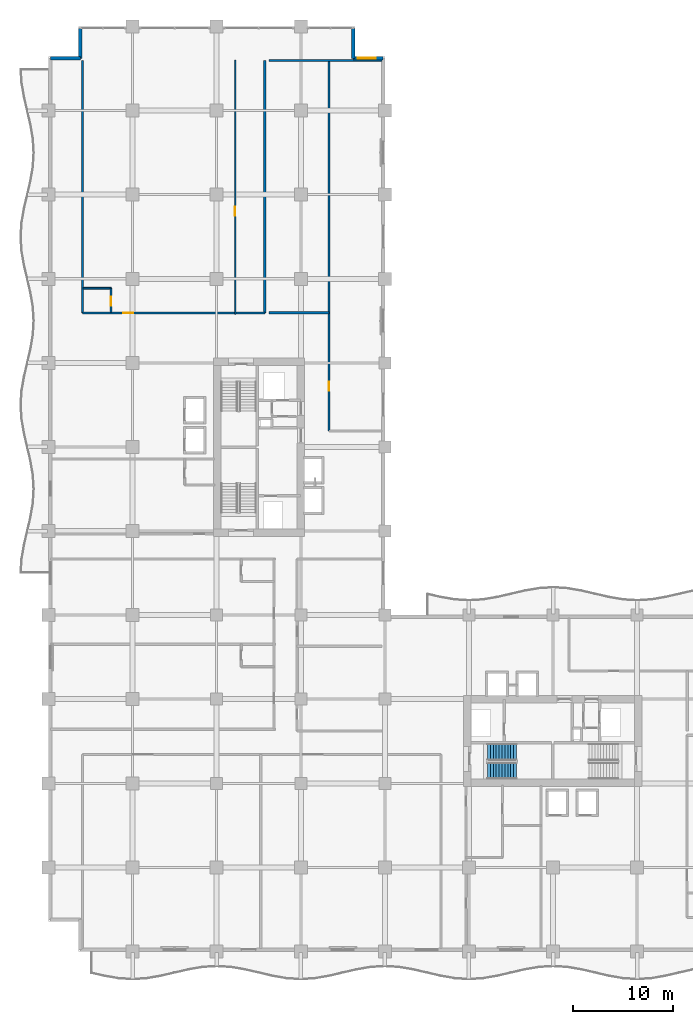
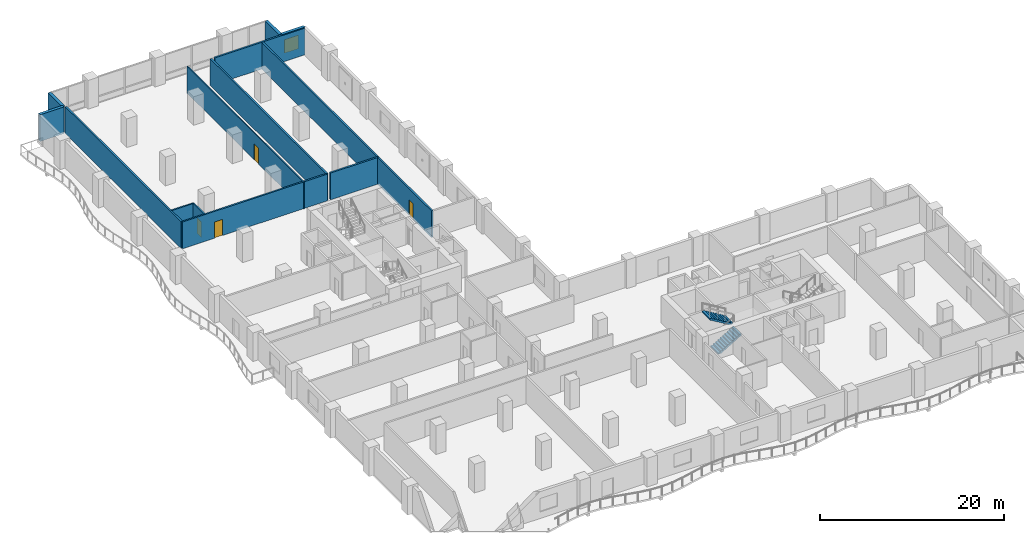
# One storey, part 14 of 22: 13 walls, 4 doors, 2 stair flights, 1 window, 5 openings, 1 element without a shape of its own.
"""IFC4 building model written with IfcOpenShell, lengths in metres."""

from ifc_helpers import new_model, si_unit, direction, frame, frame_2d, origin, place, context, subcontext, project, spatial, polyline, rectangle, outline, extrude, material, layer, layer_set, type_object, element, fill, aggregate, save


model = new_model("IFC4")

# Units and contexts
model_context = context("Model", 3, precision=1e-05, world=origin(), true_north=direction((0.0, 1.0)))
body_context = subcontext(model_context, "Body", "Model", "MODEL_VIEW")
ifc_project = project(units=[si_unit("LENGTHUNIT", "METRE"), si_unit("AREAUNIT", "SQUARE_METRE"), si_unit("VOLUMEUNIT", "CUBIC_METRE"), si_unit("PLANEANGLEUNIT", "RADIAN"), si_unit("MASSUNIT", "GRAM", prefix="KILO")], contexts=[model_context])

# Site, building, storey
site_placement = place(None, origin())
site = spatial("IfcSite", under=ifc_project, at=site_placement, CompositionType="ELEMENT")
building_placement = place(site_placement, origin())
building = spatial("IfcBuilding", under=site, at=building_placement, Name="Koriwani Terraces Tower", CompositionType="ELEMENT")
storey_placement = place(building_placement, frame((0.0, 0.0, 141.800048828125)))
storey = spatial("IfcBuildingStorey", under=building, at=storey_placement, Name="L34", CompositionType="ELEMENT", Elevation=141.800048828125)

# Wall, opening, door
ifc_material_1 = material(Name="Autoclaved Cellular Concrete Blockwork", Category="masonry")
ifc_layer_1 = layer(ifc_material_1, 0.199951171875, Name="Autoclaved Cellular Concrete Blockwork")
ifc_layer_set_1 = layer_set([ifc_layer_1], Name="Autoclaved Cellular Concrete Blockwork")
wall_type_1 = type_object("IfcWallType", Name="WALL_CORRIDOR_200", PredefinedType="PARTITIONING", material=ifc_layer_set_1)
wall_1_placement = place(storey_placement, frame((3.39990234375, 63.800048828125, 0.0), z_axis=(0.0, 0.0, 1.0), x_axis=(1.0, 0.0, 0.0)))
wall_1 = element("IfcWall", 1, at=wall_1_placement, inside=storey, type_object=wall_type_1, Name="L34 Interior Wall WGB-L34-NWTIP-S", PredefinedType="PARTITIONING", context=body_context, shape_type="SweptSolid", body=[
    extrude(rectangle(XDim=18.2001953125, YDim=0.199951171875, at=frame_2d((9.10009765625, 0.0))), origin(), (0.0, 0.0, 1.0), 3.550048828125),
])
opening_1_placement = place(wall_1_placement, frame((4.050048828125, 0.0, 0.0)))
opening_1 = element("IfcOpeningElement", 2, at=opening_1_placement, cuts=wall_1, Name="Opening D-05", PredefinedType="OPENING", context=body_context, shape_type="SweptSolid", body=[
    extrude(rectangle(XDim=1.0, YDim=2.14990234375, at=frame_2d((0.5, 1.074951171875))), frame((0.0, 0.10986328125, 0.0), z_axis=(0.0, -1.0, 0.0), x_axis=(1.0, 0.0, 0.0)), (0.0, 0.0, 1.0), 0.219970703125),
])
ifc_material_2 = material(Name="Architectural Oak Fire Door", Category="wood")
door_type_1 = type_object("IfcDoorType", Name="DOOR_SUITE_ENTRY_1000X2150", OperationType="NOTDEFINED", PredefinedType="DOOR", material=ifc_material_2)
door_1_placement = place(opening_1_placement, origin())
door_1 = element("IfcDoor", 3, at=door_1_placement, inside=storey, type_object=door_type_1, Name="Presidential Suite 34NT Entrance Door", OperationType="SINGLE_SWING_LEFT", OverallHeight=2.14990234375, OverallWidth=1.0, PredefinedType="DOOR", context=body_context, shape_type="SweptSolid", body=[
    extrude(rectangle(XDim=1.0, YDim=2.14990234375, at=frame_2d((0.5, 1.074951171875))), frame((0.0, 0.02490234375, 0.0), z_axis=(0.0, -1.0, 0.0), x_axis=(1.0, 0.0, 0.0)), (0.0, 0.0, 1.0), 0.050048828125),
])
fill(opening_1, door_1)

wall_2_placement = place(storey_placement, frame((28.0, 52.0, 0.0), z_axis=(0.0, 0.0, 1.0), x_axis=(0.0, 1.0, 0.0)))
wall_2 = element("IfcWall", 4, at=wall_2_placement, inside=storey, type_object=wall_type_1, Name="L34 Interior Wall WNWT2-W-L34", PredefinedType="PARTITIONING", context=body_context, shape_type="SweptSolid", body=[
    extrude(rectangle(XDim=37.0, YDim=0.199951171875, at=frame_2d((18.5, 0.0))), origin(), (0.0, 0.0, 1.0), 3.550048828125),
])
opening_2_placement = place(wall_2_placement, frame((4.0, 0.0, 0.0)))
opening_2 = element("IfcOpeningElement", 5, at=opening_2_placement, cuts=wall_2, Name="Opening D-06", PredefinedType="OPENING", context=body_context, shape_type="SweptSolid", body=[
    extrude(rectangle(XDim=0.919921875, YDim=2.10009765625, at=frame_2d((0.4599609375, 1.050048828125))), frame((0.0, 0.10986328125, 0.0), z_axis=(0.0, -1.0, 0.0), x_axis=(1.0, 0.0, 0.0)), (0.0, 0.0, 1.0), 0.219970703125),
])
door_type_2 = type_object("IfcDoorType", Name="DOOR_ROOM_INT_920X2100", OperationType="NOTDEFINED", PredefinedType="DOOR", material=ifc_material_2)
door_2_placement = place(opening_2_placement, origin())
door_2 = element("IfcDoor", 6, at=door_2_placement, inside=storey, type_object=door_type_2, Name="L34 North Court Lounge Door", OperationType="SINGLE_SWING_RIGHT", OverallHeight=2.10009765625, OverallWidth=0.919921875, PredefinedType="DOOR", context=body_context, shape_type="SweptSolid", body=[
    extrude(rectangle(XDim=0.919921875, YDim=2.10009765625, at=frame_2d((0.4599609375, 1.050048828125))), frame((0.0, 0.02490234375, 0.0), z_axis=(0.0, -1.0, 0.0), x_axis=(1.0, 0.0, 0.0)), (0.0, 0.0, 1.0), 0.050048828125),
])
fill(opening_2, door_2)

# Walls
ifc_layer_2 = layer(ifc_material_1, 0.219970703125, Name="Autoclaved Cellular Concrete Blockwork")
ifc_layer_set_2 = layer_set([ifc_layer_2], Name="Autoclaved Cellular Concrete Blockwork")
wall_type_2 = type_object("IfcWallType", Name="WALL_DEMISING_220", PredefinedType="PARTITIONING", material=ifc_layer_set_2)
for number, where, z_axis, x_axis, name in (
    (7, (21.60009765625, 63.800048828125, 0.0), (0.0, 0.0, 1.0), (0.0, 1.0, 0.0), "L34 Interior Wall WGB-L34-NWTIP-E"),
    (8, (3.39990234375, 63.800048828125, 0.0), (0.0, 0.0, 1.0), (0.0, 1.0, 0.0), "L34 Interior Wall WGB-L34-NWTIP-W"),
):
    element("IfcWall", number, at=place(storey_placement, frame(where, z_axis=z_axis, x_axis=x_axis)), inside=storey, type_object=wall_type_2, Name=name, PredefinedType="PARTITIONING", context=body_context, shape_type="SweptSolid", body=[
        extrude(rectangle(XDim=25.199951171875, YDim=0.219970703125, at=frame_2d((12.60009765625, 0.0))), origin(), (0.0, 0.0, 1.0), 3.550048828125),
    ])
wall_3_placement = place(storey_placement, frame((22.0, 89.0, 0.0), z_axis=(0.0, 0.0, 1.0), x_axis=(1.0, 0.0, 0.0)))
element("IfcWall", 9, at=wall_3_placement, inside=storey, type_object=wall_type_2, Name="L34 Interior Wall WNWT2-N-L34", PredefinedType="PARTITIONING", context=body_context, shape_type="SweptSolid", body=[
    extrude(rectangle(XDim=11.300048828125, YDim=0.219970703125, at=frame_2d((5.64990234375, 0.0))), origin(), (0.0, 0.0, 1.0), 3.550048828125),
])
wall_4_placement = place(storey_placement, frame((22.0, 63.800048828125, 0.0), z_axis=(0.0, 0.0, 1.0), x_axis=(1.0, 0.0, 0.0)))
element("IfcWall", 10, at=wall_4_placement, inside=storey, type_object=wall_type_2, Name="L34 Interior Wall WNWT2-WS-L34", PredefinedType="PARTITIONING", context=body_context, shape_type="SweptSolid", body=[
    extrude(rectangle(XDim=6.0, YDim=0.219970703125, at=frame_2d((3.0, 0.0))), origin(), (0.0, 0.0, 1.0), 3.550048828125),
])
ifc_material_3 = material(Name="Concrete C50/60", Category="concrete")
ifc_layer_3 = layer(ifc_material_3, 0.35009765625, Name="Concrete C50/60")
ifc_layer_set_3 = layer_set([ifc_layer_3], Name="Concrete C50/60")
wall_type_3 = type_object("IfcWallType", Name="WALL_EXT_BRUTALIST_350", PredefinedType="STANDARD", material=ifc_layer_set_3)
for number, where, z_axis, x_axis, name in (
    (11, (0.175048828125, 89.22509765625, 0.0), (0.0, 0.0, 1.0), (1.0, 0.0, 0.0), "L34 Fair-Faced Brutalist Exterior Wall (N3)"),
    (12, (3.175048828125, 89.22509765625, 0.0), (0.0, 0.0, 1.0), (0.0, 1.0, 0.0), "L34 Fair-Faced Brutalist Exterior Wall (N4)"),
    (13, (30.425048828125, 92.22509765625, 0.0), (0.0, 0.0, 1.0), (0.0, -1.0, 0.0), "L34 Fair-Faced Brutalist Exterior Wall (N6)"),
):
    element("IfcWall", number, at=place(storey_placement, frame(where, z_axis=z_axis, x_axis=x_axis)), inside=storey, type_object=wall_type_3, Name=name, PredefinedType="STANDARD", context=body_context, shape_type="SweptSolid", body=[
        extrude(rectangle(XDim=3.0, YDim=0.35009765625, at=frame_2d((1.5, 0.0))), origin(), (0.0, 0.0, 1.0), 3.550048828125),
    ])

# Wall, opening, window
wall_5_placement = place(storey_placement, frame((30.425048828125, 89.22509765625, 0.0), z_axis=(0.0, 0.0, 1.0), x_axis=(1.0, 0.0, 0.0)))
wall_5 = element("IfcWall", 14, at=wall_5_placement, inside=storey, type_object=wall_type_3, Name="L34 Fair-Faced Brutalist Exterior Wall (N7)", PredefinedType="STANDARD", context=body_context, shape_type="SweptSolid", body=[
    extrude(rectangle(XDim=3.0, YDim=0.35009765625, at=frame_2d((1.5, 0.0))), origin(), (0.0, 0.0, 1.0), 3.550048828125),
])
opening_3_placement = place(wall_5_placement, frame((0.487548828125, 0.0, 0.85009765625)))
opening_3 = element("IfcOpeningElement", 15, at=opening_3_placement, cuts=wall_5, Name="Opening W-04", PredefinedType="OPENING", context=body_context, shape_type="SweptSolid", body=[
    extrude(rectangle(XDim=1.800048828125, YDim=1.800048828125, at=frame_2d((0.89990234375, 0.89990234375))), frame((0.0, 0.18505859375, 0.0), z_axis=(0.0, -1.0, 0.0), x_axis=(1.0, 0.0, 0.0)), (0.0, 0.0, 1.0), 0.3701171875),
])
ifc_material_4 = material(Name="Tempered Laminated Low-E Glass", Category="glass")
window_type = type_object("IfcWindowType", Name="WIN_RES_BED_1800X1800", PartitioningType="DOUBLE_PANEL_VERTICAL", PredefinedType="WINDOW", material=ifc_material_4)
window_placement = place(opening_3_placement, origin())
window = element("IfcWindow", 16, at=window_placement, inside=storey, type_object=window_type, Name="L34 Exterior Window (N7-R43)", OverallHeight=1.800048828125, OverallWidth=1.800048828125, PartitioningType="SINGLE_PANEL", PredefinedType="WINDOW", context=body_context, shape_type="SweptSolid", body=[
    extrude(rectangle(XDim=1.800048828125, YDim=1.800048828125, at=frame_2d((0.89990234375, 0.89990234375))), frame((0.0, 0.030029296875, 0.0), z_axis=(0.0, -1.0, 0.0), x_axis=(1.0, 0.0, 0.0)), (0.0, 0.0, 1.0), 0.06005859375),
])
fill(opening_3, window)

# Wall, opening, door
ifc_material_5 = material(Name="Fire-Rated Acoustic Gypsum Partition", Category="masonry")
ifc_layer_4 = layer(ifc_material_5, 0.125, Name="Fire-Rated Acoustic Gypsum Partition")
ifc_layer_set_4 = layer_set([ifc_layer_4], Name="Fire-Rated Acoustic Gypsum Partition")
wall_type_4 = type_object("IfcWallType", Name="WALL_INT_125", PredefinedType="PARTITIONING", material=ifc_layer_set_4)
wall_6_placement = place(storey_placement, frame((18.64990234375, 63.64990234375, 0.0), z_axis=(0.0, 0.0, 1.0), x_axis=(0.0, 1.0, 0.0)))
wall_6 = element("IfcWall", 17, at=wall_6_placement, inside=storey, type_object=wall_type_4, Name="L34 Interior Wall WGB-L34-NWTIP-BD", PredefinedType="PARTITIONING", context=body_context, shape_type="SweptSolid", body=[
    extrude(rectangle(XDim=25.400146484375, YDim=0.125, at=frame_2d((12.7001953125, 0.0))), origin(), (0.0, 0.0, 1.0), 3.550048828125),
])
opening_4_placement = place(wall_6_placement, frame((9.840087890625, 0.0, 0.0)))
opening_4 = element("IfcOpeningElement", 18, at=opening_4_placement, cuts=wall_6, Name="Opening D-06", PredefinedType="OPENING", context=body_context, shape_type="SweptSolid", body=[
    extrude(rectangle(XDim=0.919921875, YDim=2.10009765625, at=frame_2d((0.4599609375, 1.050048828125))), frame((0.0, 0.072509765625, 0.0), z_axis=(0.0, -1.0, 0.0), x_axis=(1.0, 0.0, 0.0)), (0.0, 0.0, 1.0), 0.14501953125),
])
door_3_placement = place(opening_4_placement, origin())
door_3 = element("IfcDoor", 19, at=door_3_placement, inside=storey, type_object=door_type_2, Name="Presidential Suite 34NT Master Suite Door", OperationType="SINGLE_SWING_LEFT", OverallHeight=2.10009765625, OverallWidth=0.919921875, PredefinedType="DOOR", context=body_context, shape_type="SweptSolid", body=[
    extrude(rectangle(XDim=0.919921875, YDim=2.10009765625, at=frame_2d((0.4599609375, 1.050048828125))), frame((0.0, 0.02490234375, 0.0), z_axis=(0.0, -1.0, 0.0), x_axis=(1.0, 0.0, 0.0)), (0.0, 0.0, 1.0), 0.050048828125),
])
fill(opening_4, door_3)

ifc_layer_5 = layer(ifc_material_5, 0.179931640625, Name="Fire-Rated Acoustic Gypsum Partition")
ifc_layer_set_5 = layer_set([ifc_layer_5], Name="Fire-Rated Acoustic Gypsum Partition")
wall_type_5 = type_object("IfcWallType", Name="WALL_PLUMBING_180", PredefinedType="PLUMBINGWALL", material=ifc_layer_set_5)
wall_7_placement = place(storey_placement, frame((6.25, 63.85009765625, 0.0), z_axis=(0.0, 0.0, 1.0), x_axis=(0.0, 1.0, 0.0)))
wall_7 = element("IfcWall", 20, at=wall_7_placement, inside=storey, type_object=wall_type_5, Name="L34 Interior Wall WGB-L34-NWTIP-SVB", PredefinedType="PLUMBINGWALL", context=body_context, shape_type="SweptSolid", body=[
    extrude(rectangle(XDim=2.39990234375, YDim=0.179931640625, at=frame_2d((1.199951171875, 0.0))), origin(), (0.0, 0.0, 1.0), 3.550048828125),
])
opening_5_placement = place(wall_7_placement, frame((0.64990234375, 0.0, 0.0)))
opening_5 = element("IfcOpeningElement", 21, at=opening_5_placement, cuts=wall_7, Name="Opening D-07", PredefinedType="OPENING", context=body_context, shape_type="SweptSolid", body=[
    extrude(rectangle(XDim=0.89990234375, YDim=2.10009765625, at=frame_2d((0.449951171875, 1.050048828125))), frame((0.0, 0.10009765625, 0.0), z_axis=(0.0, -1.0, 0.0), x_axis=(1.0, 0.0, 0.0)), (0.0, 0.0, 1.0), 0.199951171875),
])
door_type_3 = type_object("IfcDoorType", Name="DOOR_BATH_INT_900X2100", OperationType="NOTDEFINED", PredefinedType="DOOR", material=ifc_material_2)
door_4_placement = place(opening_5_placement, origin())
door_4 = element("IfcDoor", 22, at=door_4_placement, inside=storey, type_object=door_type_3, Name="Presidential Suite 34NT Bathroom Door", OperationType="SINGLE_SWING_RIGHT", OverallHeight=2.10009765625, OverallWidth=0.89990234375, PredefinedType="DOOR", context=body_context, shape_type="SweptSolid", body=[
    extrude(rectangle(XDim=0.89990234375, YDim=2.10009765625, at=frame_2d((0.449951171875, 1.050048828125))), frame((0.0, 0.02490234375, 0.0), z_axis=(0.0, -1.0, 0.0), x_axis=(1.0, 0.0, 0.0)), (0.0, 0.0, 1.0), 0.050048828125),
])
fill(opening_5, door_4)

# Wall
wall_8_placement = place(storey_placement, frame((3.449951171875, 66.25, 0.0), z_axis=(0.0, 0.0, 1.0), x_axis=(1.0, 0.0, 0.0)))
element("IfcWall", 23, at=wall_8_placement, inside=storey, type_object=wall_type_5, Name="L34 Interior Wall WGB-L34-NWTIP-SV2", PredefinedType="PLUMBINGWALL", context=body_context, shape_type="SweptSolid", body=[
    extrude(rectangle(XDim=2.800048828125, YDim=0.179931640625, at=frame_2d((1.39990234375, 0.0))), origin(), (0.0, 0.0, 1.0), 3.550048828125),
])

# Stair, stair flights
ifc_material_6 = material(Name="Concrete C40/50", Category="concrete")
stair_type = type_object("IfcStairType", Name="STAIR_CORE_DOGLEG_1650", PredefinedType="TWO_STRAIGHT_RUN_STAIR", material=ifc_material_6)
stair_placement = place(storey_placement, origin())
stair = element("IfcStair", 24, at=stair_placement, inside=storey, type_object=stair_type, Name="L34 East Core Exit Stair 1", PredefinedType="HALF_TURN_STAIR")
stair_flight_type = type_object("IfcStairFlightType", Name="STAIR_FLIGHT_RC_1650", PredefinedType="STRAIGHT", material=ifc_material_6)
stair_flight_1_placement = place(storey_placement, frame((43.85009765625, 18.074951171875, 0.0), z_axis=(0.0, 0.0, 1.0), x_axis=(1.0, 0.0, 0.0)))
stair_flight_1 = element("IfcStairFlight", 25, at=stair_flight_1_placement, type_object=stair_flight_type, Name="ST-E1 flight 1", NumberOfRisers=11, NumberOfTreads=10, PredefinedType="STRAIGHT", RiserHeight=0.172727273, TreadLength=0.29, context=body_context, shape_type="SweptSolid", body=[
    extrude(outline(polyline([(0.0, 0.0), (0.0, 0.172607421875), (0.2900390625, 0.172607421875), (0.2900390625, 0.345458984375), (0.580078125, 0.345458984375), (0.580078125, 0.51806640625), (0.8701171875, 0.51806640625), (0.8701171875, 0.69091796875), (1.159912109375, 0.69091796875), (1.159912109375, 0.863525390625), (1.449951171875, 0.863525390625), (1.449951171875, 1.036376953125), (1.739990234375, 1.036376953125), (1.739990234375, 1.208984375), (2.030029296875, 1.208984375), (2.030029296875, 1.3818359375), (2.320068359375, 1.3818359375), (2.320068359375, 1.554443359375), (2.610107421875, 1.554443359375), (2.610107421875, 1.727294921875), (2.89990234375, 1.727294921875), (2.89990234375, 1.89990234375), (2.89990234375, 1.517822265625), (0.3515625, 0.0), (0.0, 0.0)])), frame((0.0, 0.824951171875, 0.0), z_axis=(0.0, -1.0, 0.0), x_axis=(1.0, 0.0, 0.0)), (0.0, 0.0, 1.0), 1.64990234375),
])
stair_flight_2_placement = place(storey_placement, frame((46.75, 19.925048828125, 1.89990234375), z_axis=(0.0, 0.0, 1.0), x_axis=(-1.0, 0.0, 0.0)))
stair_flight_2 = element("IfcStairFlight", 26, at=stair_flight_2_placement, type_object=stair_flight_type, Name="ST-E1 flight 2", NumberOfRisers=11, NumberOfTreads=10, PredefinedType="STRAIGHT", RiserHeight=0.172727273, TreadLength=0.29, context=body_context, shape_type="SweptSolid", body=[
    extrude(outline(polyline([(0.0, 0.0), (0.0, 0.172607421875), (0.2900390625, 0.172607421875), (0.2900390625, 0.345458984375), (0.580078125, 0.345458984375), (0.580078125, 0.51806640625), (0.8701171875, 0.51806640625), (0.8701171875, 0.69091796875), (1.159912109375, 0.69091796875), (1.159912109375, 0.863525390625), (1.449951171875, 0.863525390625), (1.449951171875, 1.036376953125), (1.739990234375, 1.036376953125), (1.739990234375, 1.208984375), (2.030029296875, 1.208984375), (2.030029296875, 1.3818359375), (2.320068359375, 1.3818359375), (2.320068359375, 1.554443359375), (2.610107421875, 1.554443359375), (2.610107421875, 1.727294921875), (2.89990234375, 1.727294921875), (2.89990234375, 1.89990234375), (2.89990234375, 1.517822265625), (0.3515625, 0.0), (0.0, 0.0)])), frame((0.0, 0.824951171875, 0.0), z_axis=(0.0, -1.0, 0.0), x_axis=(1.0, 0.0, 0.0)), (0.0, 0.0, 1.0), 1.64990234375),
])
aggregate(stair, [stair_flight_1, stair_flight_2])

save(model, "model.ifc")
